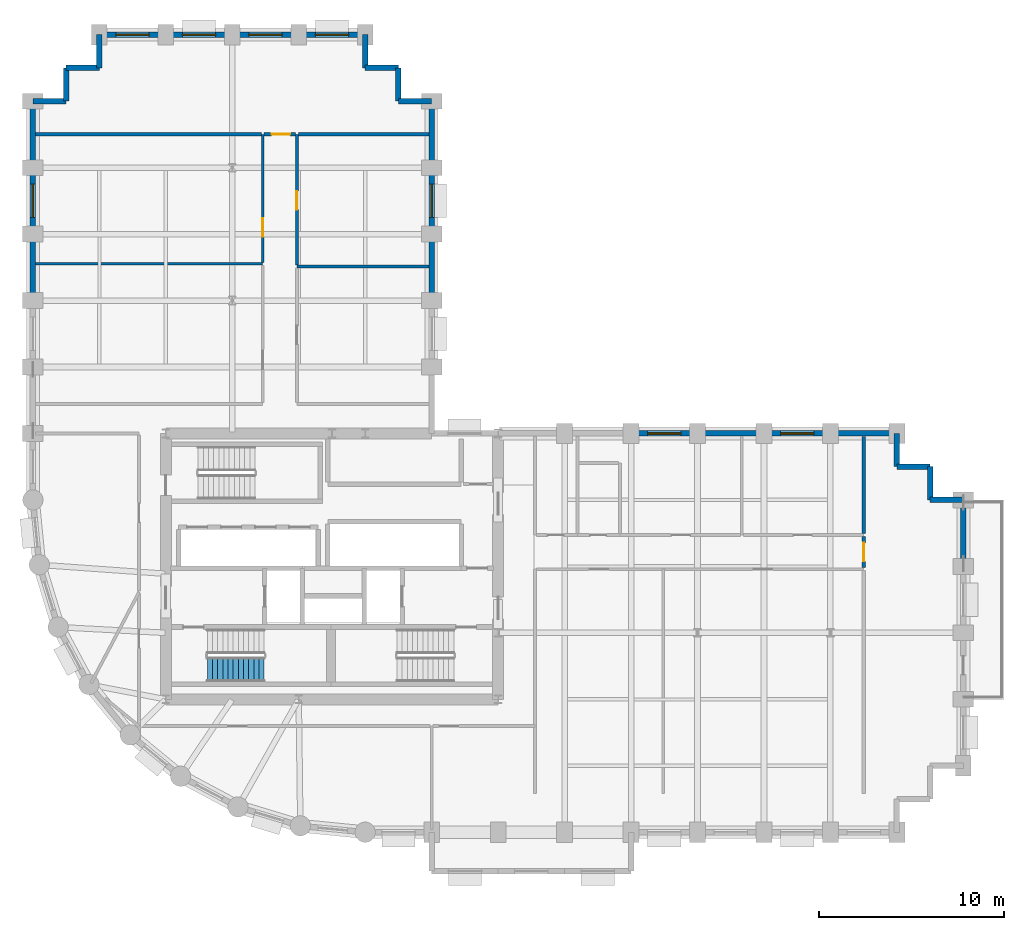
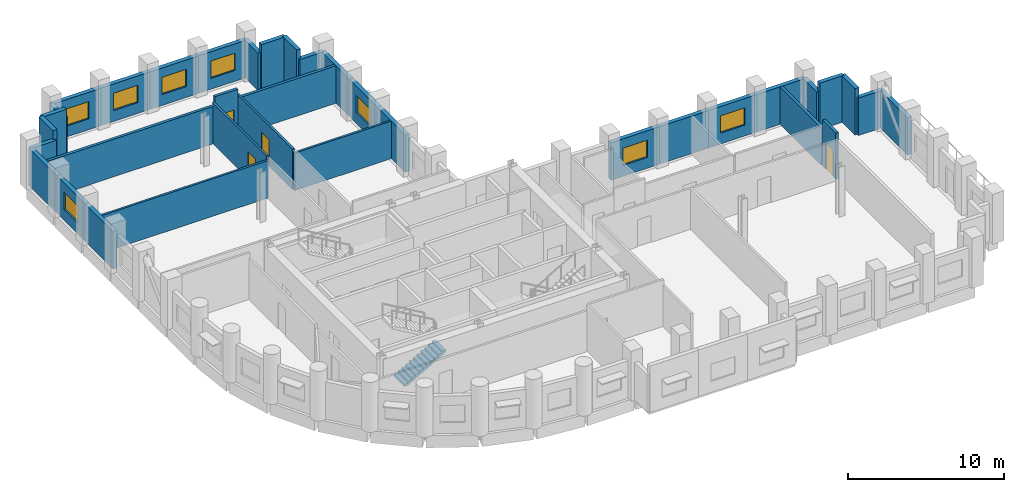
# One storey, part 6 of 10: 36 walls, 8 windows, 4 doors, 1 stair flight, 12 openings, 1 element without a shape of its own.
"""IFC4 building model written with IfcOpenShell, lengths in metres."""

from ifc_helpers import new_model, si_unit, direction, frame, frame_2d, origin, place, context, subcontext, project, spatial, polyline, rectangle, outline, extrude, material, layer, layer_set, type_object, element, fill, aggregate, save


model = new_model("IFC4")

# Units and contexts
model_context = context("Model", 3, precision=1e-05, world=origin(), true_north=direction((0.0, 1.0)))
body_context = subcontext(model_context, "Body", "Model", "MODEL_VIEW")
ifc_project = project(units=[si_unit("LENGTHUNIT", "METRE"), si_unit("AREAUNIT", "SQUARE_METRE"), si_unit("VOLUMEUNIT", "CUBIC_METRE"), si_unit("PLANEANGLEUNIT", "RADIAN"), si_unit("MASSUNIT", "GRAM", prefix="KILO")], contexts=[model_context])

# Site, building, storey
site_placement = place(None, origin())
site = spatial("IfcSite", under=ifc_project, at=site_placement, CompositionType="ELEMENT")
building_placement = place(site_placement, origin())
building = spatial("IfcBuilding", under=site, at=building_placement, Name="Solnavia Interchange Tower", CompositionType="ELEMENT")
storey_placement = place(building_placement, frame((0.0, 0.0, 103.5)))
storey = spatial("IfcBuildingStorey", under=building, at=storey_placement, Name="L25", CompositionType="ELEMENT", Elevation=103.5)

# Wall
ifc_material_1 = material(Name="Gypsum Acoustic Twin-Stud & Mineral Wool", Category="gypsum")
ifc_layer_1 = layer(ifc_material_1, 0.199951171875)
ifc_layer_set_1 = layer_set([ifc_layer_1], Name="Gypsum Acoustic Twin-Stud & Mineral Wool")
wall_type_1 = type_object("IfcWallType", Name="Wall-ApartmentParty-200", PredefinedType="PARTITIONING", material=ifc_layer_set_1)
wall_1_placement = place(storey_placement, frame((52.199951171875, 19.779052734375, 0.0), z_axis=(0.0, 0.0, 1.0), x_axis=(0.0, 1.0, 0.0)))
element("IfcWall", 1, at=wall_1_placement, inside=storey, type_object=wall_type_1, Name="PTW-L25-23 Interior partition wall", PredefinedType="PARTITIONING", context=body_context, shape_type="SweptSolid", body=[
    extrude(rectangle(XDim=5.266845703125, YDim=0.199951171875, at=frame_2d((2.63330078125, 0.0))), origin(), (0.0, 0.0, 1.0), 2.929931640625),
])

# Wall, opening, door
wall_2_placement = place(storey_placement, frame((52.199951171875, 17.928955078125, 0.0), z_axis=(0.0, 0.0, 1.0), x_axis=(0.0, 1.0, 0.0)))
wall_2 = element("IfcWall", 2, at=wall_2_placement, inside=storey, type_object=wall_type_1, Name="PTW-L25-24 Interior partition wall", PredefinedType="PARTITIONING", context=body_context, shape_type="SweptSolid", body=[
    extrude(rectangle(XDim=1.692138671875, YDim=0.199951171875, at=frame_2d((0.84619140625, 0.0))), origin(), (0.0, 0.0, 1.0), 3.635009765625),
])
opening_1_placement = place(wall_2_placement, frame((0.339111328125, 0.0, 0.0)))
opening_1 = element("IfcOpeningElement", 3, at=opening_1_placement, cuts=wall_2, Name="Opening DR-06", PredefinedType="OPENING", context=body_context, shape_type="SweptSolid", body=[
    extrude(rectangle(XDim=1.0, YDim=2.10009765625, at=frame_2d((0.5, 1.050048828125))), frame((0.0, 0.10986328125, 0.0), z_axis=(0.0, -1.0, 0.0), x_axis=(1.0, 0.0, 0.0)), (0.0, 0.0, 1.0), 0.219970703125),
])
ifc_material_2 = material(Name="Engineered Timber Acoustic Fire Door", Category="wood")
door_type_1 = type_object("IfcDoorType", Name="Door-FlatEntry-1000x2100", OperationType="SINGLE_SWING_LEFT", PredefinedType="DOOR", material=ifc_material_2)
door_1_placement = place(opening_1_placement, origin())
door_1 = element("IfcDoor", 4, at=door_1_placement, inside=storey, type_object=door_type_1, Name="DR-L25-11 Interior room door", OperationType="SINGLE_SWING_RIGHT", OverallHeight=2.10009765625, OverallWidth=1.0, PredefinedType="DOOR", context=body_context, shape_type="SweptSolid", body=[
    extrude(rectangle(XDim=1.0, YDim=2.10009765625, at=frame_2d((0.5, 1.050048828125))), frame((0.0, 0.02490234375, 0.0), z_axis=(0.0, -1.0, 0.0), x_axis=(1.0, 0.0, 0.0)), (0.0, 0.0, 1.0), 0.050048828125),
])
fill(opening_1, door_1)

# Walls
wall_3_placement = place(storey_placement, frame((7.35400390625, 41.39990234375, 0.0), z_axis=(0.0, 0.0, 1.0), x_axis=(1.0, 0.0, 0.0)))
element("IfcWall", 5, at=wall_3_placement, inside=storey, type_object=wall_type_1, Name="PTW-L25-33 Interior partition wall", PredefinedType="PARTITIONING", context=body_context, shape_type="SweptSolid", body=[
    extrude(rectangle(XDim=12.217041015625, YDim=0.199951171875, at=frame_2d((6.1083984375, 0.0))), origin(), (0.0, 0.0, 1.0), 2.929931640625),
])
wall_4_placement = place(storey_placement, frame((21.5791015625, 41.39990234375, 0.0), z_axis=(0.0, 0.0, 1.0), x_axis=(1.0, 0.0, 0.0)))
element("IfcWall", 6, at=wall_4_placement, inside=storey, type_object=wall_type_1, Name="PTW-L25-34 Interior partition wall", PredefinedType="PARTITIONING", context=body_context, shape_type="SweptSolid", body=[
    extrude(rectangle(XDim=7.06689453125, YDim=0.199951171875, at=frame_2d((3.533447265625, 0.0))), origin(), (0.0, 0.0, 1.0), 2.929931640625),
])

# Wall, opening, door
wall_5_placement = place(storey_placement, frame((19.72900390625, 41.39990234375, 0.0), z_axis=(0.0, 0.0, 1.0), x_axis=(1.0, 0.0, 0.0)))
wall_5 = element("IfcWall", 7, at=wall_5_placement, inside=storey, type_object=wall_type_1, Name="PTW-L25-35 Interior partition wall", PredefinedType="PARTITIONING", context=body_context, shape_type="SweptSolid", body=[
    extrude(rectangle(XDim=1.69189453125, YDim=0.199951171875, at=frame_2d((0.845947265625, 0.0))), origin(), (0.0, 0.0, 1.0), 3.635009765625),
])
opening_2_placement = place(wall_5_placement, frame((0.405029296875, 0.0, 0.0)))
opening_2 = element("IfcOpeningElement", 8, at=opening_2_placement, cuts=wall_5, Name="Opening DR-06", PredefinedType="OPENING", context=body_context, shape_type="SweptSolid", body=[
    extrude(rectangle(XDim=1.0, YDim=2.10009765625, at=frame_2d((0.5, 1.050048828125))), frame((0.0, 0.10986328125, 0.0), z_axis=(0.0, -1.0, 0.0), x_axis=(1.0, 0.0, 0.0)), (0.0, 0.0, 1.0), 0.219970703125),
])
door_2_placement = place(opening_2_placement, origin())
door_2 = element("IfcDoor", 9, at=door_2_placement, inside=storey, type_object=door_type_1, Name="DR-L25-16 Interior room door", OperationType="SINGLE_SWING_LEFT", OverallHeight=2.10009765625, OverallWidth=1.0, PredefinedType="DOOR", context=body_context, shape_type="SweptSolid", body=[
    extrude(rectangle(XDim=1.0, YDim=2.10009765625, at=frame_2d((0.5, 1.050048828125))), frame((0.0, 0.02490234375, 0.0), z_axis=(0.0, -1.0, 0.0), x_axis=(1.0, 0.0, 0.0)), (0.0, 0.0, 1.0), 0.050048828125),
])
fill(opening_2, door_2)

# Walls
ifc_material_3 = material(Name="Concrete C40/50", Category="concrete")
ifc_layer_2 = layer(ifc_material_3, 0.300048828125)
ifc_layer_set_2 = layer_set([ifc_layer_2], Name="Concrete C40/50")
wall_type_2 = type_object("IfcWallType", Name="Wall-ExtSpandrel-300", PredefinedType="STANDARD", material=ifc_layer_set_2)
wall_6_placement = place(storey_placement, frame((57.60009765625, 21.60009765625, 0.0), z_axis=(0.0, 0.0, 1.0), x_axis=(0.0, -1.0, 0.0)))
element("IfcWall", 10, at=wall_6_placement, inside=storey, type_object=wall_type_2, Name="EXW-L25-18 Exterior precast spandrel wall", PredefinedType="STANDARD", context=body_context, shape_type="SweptSolid", body=[
    extrude(rectangle(XDim=3.60009765625, YDim=0.300048828125, at=frame_2d((1.800048828125, 0.0))), origin(), (0.0, 0.0, 1.0), 2.929931640625),
])
wall_7_placement = place(storey_placement, frame((55.800048828125, 21.60009765625, 0.0), z_axis=(0.0, 0.0, 1.0), x_axis=(1.0, 0.0, 0.0)))
element("IfcWall", 11, at=wall_7_placement, inside=storey, type_object=wall_type_2, Name="EXW-L25-19 Exterior precast spandrel wall", PredefinedType="STANDARD", context=body_context, shape_type="SweptSolid", body=[
    extrude(rectangle(XDim=1.800048828125, YDim=0.300048828125, at=frame_2d((0.89990234375, 0.0))), origin(), (0.0, 0.0, 1.0), 2.929931640625),
])
wall_8_placement = place(storey_placement, frame((55.800048828125, 23.39990234375, 0.0), z_axis=(0.0, 0.0, 1.0), x_axis=(0.0, -1.0, 0.0)))
element("IfcWall", 12, at=wall_8_placement, inside=storey, type_object=wall_type_2, Name="EXW-L25-20 Exterior precast spandrel wall", PredefinedType="STANDARD", context=body_context, shape_type="SweptSolid", body=[
    extrude(rectangle(XDim=1.7998046875, YDim=0.300048828125, at=frame_2d((0.89990234375, 0.0))), origin(), (0.0, 0.0, 1.0), 3.635009765625),
])
wall_9_placement = place(storey_placement, frame((54.0, 23.39990234375, 0.0), z_axis=(0.0, 0.0, 1.0), x_axis=(1.0, 0.0, 0.0)))
element("IfcWall", 13, at=wall_9_placement, inside=storey, type_object=wall_type_2, Name="EXW-L25-21 Exterior precast spandrel wall", PredefinedType="STANDARD", context=body_context, shape_type="SweptSolid", body=[
    extrude(rectangle(XDim=1.800048828125, YDim=0.300048828125, at=frame_2d((0.89990234375, 0.0))), origin(), (0.0, 0.0, 1.0), 3.635009765625),
])
wall_10_placement = place(storey_placement, frame((54.0, 25.199951171875, 0.0), z_axis=(0.0, 0.0, 1.0), x_axis=(0.0, -1.0, 0.0)))
element("IfcWall", 14, at=wall_10_placement, inside=storey, type_object=wall_type_2, Name="EXW-L25-22 Exterior precast spandrel wall", PredefinedType="STANDARD", context=body_context, shape_type="SweptSolid", body=[
    extrude(rectangle(XDim=1.800048828125, YDim=0.300048828125, at=frame_2d((0.89990234375, 0.0))), origin(), (0.0, 0.0, 1.0), 2.929931640625),
])
wall_11_placement = place(storey_placement, frame((50.39990234375, 25.199951171875, 0.0), z_axis=(0.0, 0.0, 1.0), x_axis=(1.0, 0.0, 0.0)))
element("IfcWall", 15, at=wall_11_placement, inside=storey, type_object=wall_type_2, Name="EXW-L25-23 Exterior precast spandrel wall", PredefinedType="STANDARD", context=body_context, shape_type="SweptSolid", body=[
    extrude(rectangle(XDim=3.60009765625, YDim=0.300048828125, at=frame_2d((1.800048828125, 0.0))), origin(), (0.0, 0.0, 1.0), 2.929931640625),
])

# Wall, opening, window
wall_12_placement = place(storey_placement, frame((46.800048828125, 25.199951171875, 0.0), z_axis=(0.0, 0.0, 1.0), x_axis=(1.0, 0.0, 0.0)))
wall_12 = element("IfcWall", 16, at=wall_12_placement, inside=storey, type_object=wall_type_2, Name="EXW-L25-24 Exterior precast spandrel wall", PredefinedType="STANDARD", context=body_context, shape_type="SweptSolid", body=[
    extrude(rectangle(XDim=3.599853515625, YDim=0.300048828125, at=frame_2d((1.7998046875, 0.0))), origin(), (0.0, 0.0, 1.0), 2.929931640625),
])
opening_3_placement = place(wall_12_placement, frame((0.89990234375, 0.0, 0.85009765625)))
opening_3 = element("IfcOpeningElement", 17, at=opening_3_placement, cuts=wall_12, Name="Opening WIN-02", PredefinedType="OPENING", context=body_context, shape_type="SweptSolid", body=[
    extrude(rectangle(XDim=1.800048828125, YDim=1.35009765625, at=frame_2d((0.89990234375, 0.675048828125))), frame((0.0, 0.16015625, 0.0), z_axis=(0.0, -1.0, 0.0), x_axis=(1.0, 0.0, 0.0)), (0.0, 0.0, 1.0), 0.320068359375),
])
ifc_material_4 = material(Name="Thermal-Break Aluminium & Low-E Glass", Category="aluminium")
window_type = type_object("IfcWindowType", Name="Window-Ribbon-1800x1350", PartitioningType="SINGLE_PANEL", PredefinedType="WINDOW", material=ifc_material_4)
window_1_placement = place(opening_3_placement, origin())
window_1 = element("IfcWindow", 18, at=window_1_placement, inside=storey, type_object=window_type, Name="WIN-L25-24 Facade ribbon window", OverallHeight=1.35009765625, OverallWidth=1.800048828125, PartitioningType="SINGLE_PANEL", PredefinedType="WINDOW", context=body_context, shape_type="SweptSolid", body=[
    extrude(rectangle(XDim=1.800048828125, YDim=1.35009765625, at=frame_2d((0.89990234375, 0.675048828125))), frame((0.0, 0.030029296875, 0.0), z_axis=(0.0, -1.0, 0.0), x_axis=(1.0, 0.0, 0.0)), (0.0, 0.0, 1.0), 0.06005859375),
])
fill(opening_3, window_1)

# Wall
wall_13_placement = place(storey_placement, frame((43.199951171875, 25.199951171875, 0.0), z_axis=(0.0, 0.0, 1.0), x_axis=(1.0, 0.0, 0.0)))
element("IfcWall", 19, at=wall_13_placement, inside=storey, type_object=wall_type_2, Name="EXW-L25-25 Exterior precast spandrel wall", PredefinedType="STANDARD", context=body_context, shape_type="SweptSolid", body=[
    extrude(rectangle(XDim=3.60009765625, YDim=0.300048828125, at=frame_2d((1.800048828125, 0.0))), origin(), (0.0, 0.0, 1.0), 2.929931640625),
])

# Wall, opening, window
wall_14_placement = place(storey_placement, frame((39.60009765625, 25.199951171875, 0.0), z_axis=(0.0, 0.0, 1.0), x_axis=(1.0, 0.0, 0.0)))
wall_14 = element("IfcWall", 20, at=wall_14_placement, inside=storey, type_object=wall_type_2, Name="EXW-L25-26 Exterior precast spandrel wall", PredefinedType="STANDARD", context=body_context, shape_type="SweptSolid", body=[
    extrude(rectangle(XDim=3.599853515625, YDim=0.300048828125, at=frame_2d((1.7998046875, 0.0))), origin(), (0.0, 0.0, 1.0), 2.929931640625),
])
opening_4_placement = place(wall_14_placement, frame((0.89990234375, 0.0, 0.85009765625)))
opening_4 = element("IfcOpeningElement", 21, at=opening_4_placement, cuts=wall_14, Name="Opening WIN-02", PredefinedType="OPENING", context=body_context, shape_type="SweptSolid", body=[
    extrude(rectangle(XDim=1.800048828125, YDim=1.35009765625, at=frame_2d((0.89990234375, 0.675048828125))), frame((0.0, 0.16015625, 0.0), z_axis=(0.0, -1.0, 0.0), x_axis=(1.0, 0.0, 0.0)), (0.0, 0.0, 1.0), 0.320068359375),
])
window_2_placement = place(opening_4_placement, origin())
window_2 = element("IfcWindow", 22, at=window_2_placement, inside=storey, type_object=window_type, Name="WIN-L25-26 Facade ribbon window", OverallHeight=1.35009765625, OverallWidth=1.800048828125, PartitioningType="SINGLE_PANEL", PredefinedType="WINDOW", context=body_context, shape_type="SweptSolid", body=[
    extrude(rectangle(XDim=1.800048828125, YDim=1.35009765625, at=frame_2d((0.89990234375, 0.675048828125))), frame((0.0, 0.030029296875, 0.0), z_axis=(0.0, -1.0, 0.0), x_axis=(1.0, 0.0, 0.0)), (0.0, 0.0, 1.0), 0.06005859375),
])
fill(opening_4, window_2)

# Wall
wall_15_placement = place(storey_placement, frame((28.800048828125, 36.0, 0.0), z_axis=(0.0, 0.0, 1.0), x_axis=(0.0, -1.0, 0.0)))
element("IfcWall", 23, at=wall_15_placement, inside=storey, type_object=wall_type_2, Name="EXW-L25-32 Exterior precast spandrel wall", PredefinedType="STANDARD", context=body_context, shape_type="SweptSolid", body=[
    extrude(rectangle(XDim=3.60009765625, YDim=0.300048828125, at=frame_2d((1.800048828125, 0.0))), origin(), (0.0, 0.0, 1.0), 2.929931640625),
])

# Wall, opening, window
wall_16_placement = place(storey_placement, frame((28.800048828125, 39.60009765625, 0.0), z_axis=(0.0, 0.0, 1.0), x_axis=(0.0, -1.0, 0.0)))
wall_16 = element("IfcWall", 24, at=wall_16_placement, inside=storey, type_object=wall_type_2, Name="EXW-L25-33 Exterior precast spandrel wall", PredefinedType="STANDARD", context=body_context, shape_type="SweptSolid", body=[
    extrude(rectangle(XDim=3.60009765625, YDim=0.300048828125, at=frame_2d((1.800048828125, 0.0))), origin(), (0.0, 0.0, 1.0), 2.929931640625),
])
opening_5_placement = place(wall_16_placement, frame((0.89990234375, 0.0, 0.85009765625)))
opening_5 = element("IfcOpeningElement", 25, at=opening_5_placement, cuts=wall_16, Name="Opening WIN-02", PredefinedType="OPENING", context=body_context, shape_type="SweptSolid", body=[
    extrude(rectangle(XDim=1.800048828125, YDim=1.35009765625, at=frame_2d((0.89990234375, 0.675048828125))), frame((0.0, 0.16015625, 0.0), z_axis=(0.0, -1.0, 0.0), x_axis=(1.0, 0.0, 0.0)), (0.0, 0.0, 1.0), 0.320068359375),
])
window_3_placement = place(opening_5_placement, origin())
window_3 = element("IfcWindow", 26, at=window_3_placement, inside=storey, type_object=window_type, Name="WIN-L25-33 Facade ribbon window", OverallHeight=1.35009765625, OverallWidth=1.800048828125, PartitioningType="SINGLE_PANEL", PredefinedType="WINDOW", context=body_context, shape_type="SweptSolid", body=[
    extrude(rectangle(XDim=1.800048828125, YDim=1.35009765625, at=frame_2d((0.89990234375, 0.675048828125))), frame((0.0, 0.030029296875, 0.0), z_axis=(0.0, -1.0, 0.0), x_axis=(1.0, 0.0, 0.0)), (0.0, 0.0, 1.0), 0.06005859375),
])
fill(opening_5, window_3)

# Walls
wall_17_placement = place(storey_placement, frame((28.800048828125, 43.199951171875, 0.0), z_axis=(0.0, 0.0, 1.0), x_axis=(0.0, -1.0, 0.0)))
element("IfcWall", 27, at=wall_17_placement, inside=storey, type_object=wall_type_2, Name="EXW-L25-34 Exterior precast spandrel wall", PredefinedType="STANDARD", context=body_context, shape_type="SweptSolid", body=[
    extrude(rectangle(XDim=3.599853515625, YDim=0.300048828125, at=frame_2d((1.7998046875, 0.0))), origin(), (0.0, 0.0, 1.0), 2.929931640625),
])
wall_18_placement = place(storey_placement, frame((27.0, 43.199951171875, 0.0), z_axis=(0.0, 0.0, 1.0), x_axis=(1.0, 0.0, 0.0)))
element("IfcWall", 28, at=wall_18_placement, inside=storey, type_object=wall_type_2, Name="EXW-L25-35 Exterior precast spandrel wall", PredefinedType="STANDARD", context=body_context, shape_type="SweptSolid", body=[
    extrude(rectangle(XDim=1.800048828125, YDim=0.300048828125, at=frame_2d((0.89990234375, 0.0))), origin(), (0.0, 0.0, 1.0), 2.929931640625),
])
for number, where, z_axis, x_axis, name in (
    (29, (27.0, 43.199951171875, 0.0), (0.0, 0.0, 1.0), (0.0, 1.0, 0.0), "EXW-L25-36 Exterior precast spandrel wall"),
    (30, (25.199951171875, 45.0, 0.0), (0.0, 0.0, 1.0), (1.0, 0.0, 0.0), "EXW-L25-37 Exterior precast spandrel wall"),
):
    element("IfcWall", number, at=place(storey_placement, frame(where, z_axis=z_axis, x_axis=x_axis)), inside=storey, type_object=wall_type_2, Name=name, PredefinedType="STANDARD", context=body_context, shape_type="SweptSolid", body=[
        extrude(rectangle(XDim=1.800048828125, YDim=0.300048828125, at=frame_2d((0.89990234375, 0.0))), origin(), (0.0, 0.0, 1.0), 3.635009765625),
    ])
wall_19_placement = place(storey_placement, frame((25.199951171875, 45.0, 0.0), z_axis=(0.0, 0.0, 1.0), x_axis=(0.0, 1.0, 0.0)))
element("IfcWall", 31, at=wall_19_placement, inside=storey, type_object=wall_type_2, Name="EXW-L25-38 Exterior precast spandrel wall", PredefinedType="STANDARD", context=body_context, shape_type="SweptSolid", body=[
    extrude(rectangle(XDim=1.800048828125, YDim=0.300048828125, at=frame_2d((0.89990234375, 0.0))), origin(), (0.0, 0.0, 1.0), 2.929931640625),
])

# Wall, opening, window
wall_20_placement = place(storey_placement, frame((21.60009765625, 46.800048828125, 0.0), z_axis=(0.0, 0.0, 1.0), x_axis=(1.0, 0.0, 0.0)))
wall_20 = element("IfcWall", 32, at=wall_20_placement, inside=storey, type_object=wall_type_2, Name="EXW-L25-39 Exterior precast spandrel wall", PredefinedType="STANDARD", context=body_context, shape_type="SweptSolid", body=[
    extrude(rectangle(XDim=3.599853515625, YDim=0.300048828125, at=frame_2d((1.7998046875, 0.0))), origin(), (0.0, 0.0, 1.0), 2.929931640625),
])
opening_6_placement = place(wall_20_placement, frame((0.89990234375, 0.0, 0.85009765625)))
opening_6 = element("IfcOpeningElement", 33, at=opening_6_placement, cuts=wall_20, Name="Opening WIN-02", PredefinedType="OPENING", context=body_context, shape_type="SweptSolid", body=[
    extrude(rectangle(XDim=1.800048828125, YDim=1.35009765625, at=frame_2d((0.89990234375, 0.675048828125))), frame((0.0, 0.16015625, 0.0), z_axis=(0.0, -1.0, 0.0), x_axis=(1.0, 0.0, 0.0)), (0.0, 0.0, 1.0), 0.320068359375),
])
window_4_placement = place(opening_6_placement, origin())
window_4 = element("IfcWindow", 34, at=window_4_placement, inside=storey, type_object=window_type, Name="WIN-L25-39 Facade ribbon window", OverallHeight=1.35009765625, OverallWidth=1.800048828125, PartitioningType="SINGLE_PANEL", PredefinedType="WINDOW", context=body_context, shape_type="SweptSolid", body=[
    extrude(rectangle(XDim=1.800048828125, YDim=1.35009765625, at=frame_2d((0.89990234375, 0.675048828125))), frame((0.0, 0.030029296875, 0.0), z_axis=(0.0, -1.0, 0.0), x_axis=(1.0, 0.0, 0.0)), (0.0, 0.0, 1.0), 0.06005859375),
])
fill(opening_6, window_4)

wall_21_placement = place(storey_placement, frame((18.0, 46.800048828125, 0.0), z_axis=(0.0, 0.0, 1.0), x_axis=(1.0, 0.0, 0.0)))
wall_21 = element("IfcWall", 35, at=wall_21_placement, inside=storey, type_object=wall_type_2, Name="EXW-L25-40 Exterior precast spandrel wall", PredefinedType="STANDARD", context=body_context, shape_type="SweptSolid", body=[
    extrude(rectangle(XDim=3.60009765625, YDim=0.300048828125, at=frame_2d((1.800048828125, 0.0))), origin(), (0.0, 0.0, 1.0), 2.929931640625),
])
opening_7_placement = place(wall_21_placement, frame((0.89990234375, 0.0, 0.85009765625)))
opening_7 = element("IfcOpeningElement", 36, at=opening_7_placement, cuts=wall_21, Name="Opening WIN-02", PredefinedType="OPENING", context=body_context, shape_type="SweptSolid", body=[
    extrude(rectangle(XDim=1.800048828125, YDim=1.35009765625, at=frame_2d((0.89990234375, 0.675048828125))), frame((0.0, 0.16015625, 0.0), z_axis=(0.0, -1.0, 0.0), x_axis=(1.0, 0.0, 0.0)), (0.0, 0.0, 1.0), 0.320068359375),
])
window_5_placement = place(opening_7_placement, origin())
window_5 = element("IfcWindow", 37, at=window_5_placement, inside=storey, type_object=window_type, Name="WIN-L25-40 Facade ribbon window", OverallHeight=1.35009765625, OverallWidth=1.800048828125, PartitioningType="SINGLE_PANEL", PredefinedType="WINDOW", context=body_context, shape_type="SweptSolid", body=[
    extrude(rectangle(XDim=1.800048828125, YDim=1.35009765625, at=frame_2d((0.89990234375, 0.675048828125))), frame((0.0, 0.030029296875, 0.0), z_axis=(0.0, -1.0, 0.0), x_axis=(1.0, 0.0, 0.0)), (0.0, 0.0, 1.0), 0.06005859375),
])
fill(opening_7, window_5)

wall_22_placement = place(storey_placement, frame((14.39990234375, 46.800048828125, 0.0), z_axis=(0.0, 0.0, 1.0), x_axis=(1.0, 0.0, 0.0)))
wall_22 = element("IfcWall", 38, at=wall_22_placement, inside=storey, type_object=wall_type_2, Name="EXW-L25-41 Exterior precast spandrel wall", PredefinedType="STANDARD", context=body_context, shape_type="SweptSolid", body=[
    extrude(rectangle(XDim=3.60009765625, YDim=0.300048828125, at=frame_2d((1.800048828125, 0.0))), origin(), (0.0, 0.0, 1.0), 2.929931640625),
])
opening_8_placement = place(wall_22_placement, frame((0.89990234375, 0.0, 0.85009765625)))
opening_8 = element("IfcOpeningElement", 39, at=opening_8_placement, cuts=wall_22, Name="Opening WIN-02", PredefinedType="OPENING", context=body_context, shape_type="SweptSolid", body=[
    extrude(rectangle(XDim=1.800048828125, YDim=1.35009765625, at=frame_2d((0.89990234375, 0.675048828125))), frame((0.0, 0.16015625, 0.0), z_axis=(0.0, -1.0, 0.0), x_axis=(1.0, 0.0, 0.0)), (0.0, 0.0, 1.0), 0.320068359375),
])
window_6_placement = place(opening_8_placement, origin())
window_6 = element("IfcWindow", 40, at=window_6_placement, inside=storey, type_object=window_type, Name="WIN-L25-41 Facade ribbon window", OverallHeight=1.35009765625, OverallWidth=1.800048828125, PartitioningType="SINGLE_PANEL", PredefinedType="WINDOW", context=body_context, shape_type="SweptSolid", body=[
    extrude(rectangle(XDim=1.800048828125, YDim=1.35009765625, at=frame_2d((0.89990234375, 0.675048828125))), frame((0.0, 0.030029296875, 0.0), z_axis=(0.0, -1.0, 0.0), x_axis=(1.0, 0.0, 0.0)), (0.0, 0.0, 1.0), 0.06005859375),
])
fill(opening_8, window_6)

wall_23_placement = place(storey_placement, frame((10.800048828125, 46.800048828125, 0.0), z_axis=(0.0, 0.0, 1.0), x_axis=(1.0, 0.0, 0.0)))
wall_23 = element("IfcWall", 41, at=wall_23_placement, inside=storey, type_object=wall_type_2, Name="EXW-L25-42 Exterior precast spandrel wall", PredefinedType="STANDARD", context=body_context, shape_type="SweptSolid", body=[
    extrude(rectangle(XDim=3.599853515625, YDim=0.300048828125, at=frame_2d((1.7998046875, 0.0))), origin(), (0.0, 0.0, 1.0), 2.929931640625),
])
opening_9_placement = place(wall_23_placement, frame((0.89990234375, 0.0, 0.85009765625)))
opening_9 = element("IfcOpeningElement", 42, at=opening_9_placement, cuts=wall_23, Name="Opening WIN-02", PredefinedType="OPENING", context=body_context, shape_type="SweptSolid", body=[
    extrude(rectangle(XDim=1.800048828125, YDim=1.35009765625, at=frame_2d((0.89990234375, 0.675048828125))), frame((0.0, 0.16015625, 0.0), z_axis=(0.0, -1.0, 0.0), x_axis=(1.0, 0.0, 0.0)), (0.0, 0.0, 1.0), 0.320068359375),
])
window_7_placement = place(opening_9_placement, origin())
window_7 = element("IfcWindow", 43, at=window_7_placement, inside=storey, type_object=window_type, Name="WIN-L25-42 Facade ribbon window", OverallHeight=1.35009765625, OverallWidth=1.800048828125, PartitioningType="SINGLE_PANEL", PredefinedType="WINDOW", context=body_context, shape_type="SweptSolid", body=[
    extrude(rectangle(XDim=1.800048828125, YDim=1.35009765625, at=frame_2d((0.89990234375, 0.675048828125))), frame((0.0, 0.030029296875, 0.0), z_axis=(0.0, -1.0, 0.0), x_axis=(1.0, 0.0, 0.0)), (0.0, 0.0, 1.0), 0.06005859375),
])
fill(opening_9, window_7)

# Walls
wall_24_placement = place(storey_placement, frame((10.800048828125, 45.0, 0.0), z_axis=(0.0, 0.0, 1.0), x_axis=(0.0, 1.0, 0.0)))
element("IfcWall", 44, at=wall_24_placement, inside=storey, type_object=wall_type_2, Name="EXW-L25-43 Exterior precast spandrel wall", PredefinedType="STANDARD", context=body_context, shape_type="SweptSolid", body=[
    extrude(rectangle(XDim=1.800048828125, YDim=0.300048828125, at=frame_2d((0.89990234375, 0.0))), origin(), (0.0, 0.0, 1.0), 2.929931640625),
])
for number, where, z_axis, x_axis, name in (
    (45, (9.0, 45.0, 0.0), (0.0, 0.0, 1.0), (1.0, 0.0, 0.0), "EXW-L25-44 Exterior precast spandrel wall"),
    (46, (9.0, 43.199951171875, 0.0), (0.0, 0.0, 1.0), (0.0, 1.0, 0.0), "EXW-L25-45 Exterior precast spandrel wall"),
):
    element("IfcWall", number, at=place(storey_placement, frame(where, z_axis=z_axis, x_axis=x_axis)), inside=storey, type_object=wall_type_2, Name=name, PredefinedType="STANDARD", context=body_context, shape_type="SweptSolid", body=[
        extrude(rectangle(XDim=1.800048828125, YDim=0.300048828125, at=frame_2d((0.89990234375, 0.0))), origin(), (0.0, 0.0, 1.0), 3.635009765625),
    ])
wall_25_placement = place(storey_placement, frame((7.199951171875, 43.199951171875, 0.0), z_axis=(0.0, 0.0, 1.0), x_axis=(1.0, 0.0, 0.0)))
element("IfcWall", 47, at=wall_25_placement, inside=storey, type_object=wall_type_2, Name="EXW-L25-46 Exterior precast spandrel wall", PredefinedType="STANDARD", context=body_context, shape_type="SweptSolid", body=[
    extrude(rectangle(XDim=1.800048828125, YDim=0.300048828125, at=frame_2d((0.89990234375, 0.0))), origin(), (0.0, 0.0, 1.0), 2.929931640625),
])
wall_26_placement = place(storey_placement, frame((7.199951171875, 39.60009765625, 0.0), z_axis=(0.0, 0.0, 1.0), x_axis=(0.0, 1.0, 0.0)))
element("IfcWall", 48, at=wall_26_placement, inside=storey, type_object=wall_type_2, Name="EXW-L25-47 Exterior precast spandrel wall", PredefinedType="STANDARD", context=body_context, shape_type="SweptSolid", body=[
    extrude(rectangle(XDim=3.599853515625, YDim=0.300048828125, at=frame_2d((1.7998046875, 0.0))), origin(), (0.0, 0.0, 1.0), 2.929931640625),
])

# Wall, opening, window
wall_27_placement = place(storey_placement, frame((7.199951171875, 36.0, 0.0), z_axis=(0.0, 0.0, 1.0), x_axis=(0.0, 1.0, 0.0)))
wall_27 = element("IfcWall", 49, at=wall_27_placement, inside=storey, type_object=wall_type_2, Name="EXW-L25-48 Exterior precast spandrel wall", PredefinedType="STANDARD", context=body_context, shape_type="SweptSolid", body=[
    extrude(rectangle(XDim=3.60009765625, YDim=0.300048828125, at=frame_2d((1.800048828125, 0.0))), origin(), (0.0, 0.0, 1.0), 2.929931640625),
])
opening_10_placement = place(wall_27_placement, frame((0.89990234375, 0.0, 0.85009765625)))
opening_10 = element("IfcOpeningElement", 50, at=opening_10_placement, cuts=wall_27, Name="Opening WIN-02", PredefinedType="OPENING", context=body_context, shape_type="SweptSolid", body=[
    extrude(rectangle(XDim=1.800048828125, YDim=1.35009765625, at=frame_2d((0.89990234375, 0.675048828125))), frame((0.0, 0.16015625, 0.0), z_axis=(0.0, -1.0, 0.0), x_axis=(1.0, 0.0, 0.0)), (0.0, 0.0, 1.0), 0.320068359375),
])
window_8_placement = place(opening_10_placement, origin())
window_8 = element("IfcWindow", 51, at=window_8_placement, inside=storey, type_object=window_type, Name="WIN-L25-48 Facade ribbon window", OverallHeight=1.35009765625, OverallWidth=1.800048828125, PartitioningType="SINGLE_PANEL", PredefinedType="WINDOW", context=body_context, shape_type="SweptSolid", body=[
    extrude(rectangle(XDim=1.800048828125, YDim=1.35009765625, at=frame_2d((0.89990234375, 0.675048828125))), frame((0.0, 0.030029296875, 0.0), z_axis=(0.0, -1.0, 0.0), x_axis=(1.0, 0.0, 0.0)), (0.0, 0.0, 1.0), 0.06005859375),
])
fill(opening_10, window_8)

# Walls
wall_28_placement = place(storey_placement, frame((7.199951171875, 32.39990234375, 0.0), z_axis=(0.0, 0.0, 1.0), x_axis=(0.0, 1.0, 0.0)))
element("IfcWall", 52, at=wall_28_placement, inside=storey, type_object=wall_type_2, Name="EXW-L25-49 Exterior precast spandrel wall", PredefinedType="STANDARD", context=body_context, shape_type="SweptSolid", body=[
    extrude(rectangle(XDim=3.60009765625, YDim=0.300048828125, at=frame_2d((1.800048828125, 0.0))), origin(), (0.0, 0.0, 1.0), 2.929931640625),
])
ifc_material_5 = material(Name="Gypsum Plasterboard & Steel Stud", Category="steel")
ifc_layer_3 = layer(ifc_material_5, 0.14990234375)
ifc_layer_set_3 = layer_set([ifc_layer_3], Name="Gypsum Plasterboard & Steel Stud")
wall_type_3 = type_object("IfcWallType", Name="Wall-Partition-150", PredefinedType="PARTITIONING", material=ifc_layer_set_3)
wall_29_placement = place(storey_placement, frame((7.35400390625, 34.389892578125, 0.0), z_axis=(0.0, 0.0, 1.0), x_axis=(1.0, 0.0, 0.0)))
element("IfcWall", 53, at=wall_29_placement, inside=storey, type_object=wall_type_3, Name="PTW-L25-26 Interior partition wall", PredefinedType="PARTITIONING", context=body_context, shape_type="SweptSolid", body=[
    extrude(rectangle(XDim=12.2958984375, YDim=0.14990234375, at=frame_2d((6.14794921875, 0.0))), origin(), (0.0, 0.0, 1.0), 2.929931640625),
])

# Wall, opening, door
wall_30_placement = place(storey_placement, frame((19.64990234375, 34.468994140625, 0.0), z_axis=(0.0, 0.0, 1.0), x_axis=(0.0, 1.0, 0.0)))
wall_30 = element("IfcWall", 54, at=wall_30_placement, inside=storey, type_object=wall_type_3, Name="PTW-L25-28 Interior partition wall", PredefinedType="PARTITIONING", context=body_context, shape_type="SweptSolid", body=[
    extrude(rectangle(XDim=6.930908203125, YDim=0.14990234375, at=frame_2d((3.46533203125, 0.0))), origin(), (0.0, 0.0, 1.0), 3.18994140625),
])
opening_11_placement = place(wall_30_placement, frame((1.385986328125, 0.0, 0.0)))
opening_11 = element("IfcOpeningElement", 55, at=opening_11_placement, cuts=wall_30, Name="Opening DR-07", PredefinedType="OPENING", context=body_context, shape_type="SweptSolid", body=[
    extrude(rectangle(XDim=1.0, YDim=2.10009765625, at=frame_2d((0.5, 1.050048828125))), frame((0.0, 0.0849609375, 0.0), z_axis=(0.0, -1.0, 0.0), x_axis=(1.0, 0.0, 0.0)), (0.0, 0.0, 1.0), 0.169921875),
])
ifc_material_6 = material(Name="Timber & Acoustic Glazed Office Door", Category="wood")
door_type_2 = type_object("IfcDoorType", Name="Door-Office-1000x2100", OperationType="SINGLE_SWING_RIGHT", PredefinedType="DOOR", material=ifc_material_6)
door_3_placement = place(opening_11_placement, origin())
door_3 = element("IfcDoor", 56, at=door_3_placement, inside=storey, type_object=door_type_2, Name="DR-L25-13 Interior room door", OperationType="SINGLE_SWING_RIGHT", OverallHeight=2.10009765625, OverallWidth=1.0, PredefinedType="DOOR", context=body_context, shape_type="SweptSolid", body=[
    extrude(rectangle(XDim=1.0, YDim=2.10009765625, at=frame_2d((0.5, 1.050048828125))), frame((0.0, 0.02490234375, 0.0), z_axis=(0.0, -1.0, 0.0), x_axis=(1.0, 0.0, 0.0)), (0.0, 0.0, 1.0), 0.050048828125),
])
fill(opening_11, door_3)

# Wall
wall_31_placement = place(storey_placement, frame((21.5, 34.25, 0.0), z_axis=(0.0, 0.0, 1.0), x_axis=(1.0, 0.0, 0.0)))
element("IfcWall", 57, at=wall_31_placement, inside=storey, type_object=wall_type_3, Name="PTW-L25-30 Interior partition wall", PredefinedType="PARTITIONING", context=body_context, shape_type="SweptSolid", body=[
    extrude(rectangle(XDim=7.14599609375, YDim=0.14990234375, at=frame_2d((3.572998046875, 0.0))), origin(), (0.0, 0.0, 1.0), 2.929931640625),
])

# Wall, opening, door
wall_32_placement = place(storey_placement, frame((21.5, 34.3291015625, 0.0), z_axis=(0.0, 0.0, 1.0), x_axis=(0.0, 1.0, 0.0)))
wall_32 = element("IfcWall", 58, at=wall_32_placement, inside=storey, type_object=wall_type_3, Name="PTW-L25-32 Interior partition wall", PredefinedType="PARTITIONING", context=body_context, shape_type="SweptSolid", body=[
    extrude(rectangle(XDim=7.07080078125, YDim=0.14990234375, at=frame_2d((3.535400390625, 0.0))), origin(), (0.0, 0.0, 1.0), 3.179931640625),
])
opening_12_placement = place(wall_32_placement, frame((2.99609375, 0.0, 0.0)))
opening_12 = element("IfcOpeningElement", 59, at=opening_12_placement, cuts=wall_32, Name="Opening DR-07", PredefinedType="OPENING", context=body_context, shape_type="SweptSolid", body=[
    extrude(rectangle(XDim=1.0, YDim=2.10009765625, at=frame_2d((0.5, 1.050048828125))), frame((0.0, 0.0849609375, 0.0), z_axis=(0.0, -1.0, 0.0), x_axis=(1.0, 0.0, 0.0)), (0.0, 0.0, 1.0), 0.169921875),
])
door_4_placement = place(opening_12_placement, origin())
door_4 = element("IfcDoor", 60, at=door_4_placement, inside=storey, type_object=door_type_2, Name="DR-L25-15 Interior room door", OperationType="SINGLE_SWING_LEFT", OverallHeight=2.10009765625, OverallWidth=1.0, PredefinedType="DOOR", context=body_context, shape_type="SweptSolid", body=[
    extrude(rectangle(XDim=1.0, YDim=2.10009765625, at=frame_2d((0.5, 1.050048828125))), frame((0.0, 0.02490234375, 0.0), z_axis=(0.0, -1.0, 0.0), x_axis=(1.0, 0.0, 0.0)), (0.0, 0.0, 1.0), 0.050048828125),
])
fill(opening_12, door_4)

# Stair, stair flight
stair_type = type_object("IfcStairType", Name="Stair-Dogleg-RC", PredefinedType="HALF_TURN_STAIR", material=ifc_material_3)
stair_placement = place(storey_placement, origin())
stair = element("IfcStair", 61, at=stair_placement, inside=storey, type_object=stair_type, Name="L25 Core exit stair 1", PredefinedType="HALF_TURN_STAIR")
stair_flight_type = type_object("IfcStairFlightType", Name="StairFlight-RC-150", PredefinedType="STRAIGHT", material=ifc_material_3)
stair_flight_placement = place(storey_placement, frame((16.64990234375, 12.409912109375, 0.0), z_axis=(0.0, 0.0, 1.0), x_axis=(1.0, 0.0, 0.0)))
stair_flight = element("IfcStairFlight", 62, at=stair_flight_placement, type_object=stair_flight_type, Name="ST-1 flight 1", NumberOfRisers=12, NumberOfTreads=11, PredefinedType="STRAIGHT", RiserHeight=0.1625, TreadLength=0.28, context=body_context, shape_type="SweptSolid", body=[
    extrude(outline(polyline([(0.0, 0.0), (0.0, 0.16259765625), (0.280029296875, 0.16259765625), (0.280029296875, 0.324951171875), (0.56005859375, 0.324951171875), (0.56005859375, 0.487548828125), (0.840087890625, 0.487548828125), (0.840087890625, 0.64990234375), (1.1201171875, 0.64990234375), (1.1201171875, 0.8125), (1.39990234375, 0.8125), (1.39990234375, 0.97509765625), (1.679931640625, 0.97509765625), (1.679931640625, 1.137451171875), (1.9599609375, 1.137451171875), (1.9599609375, 1.300048828125), (2.239990234375, 1.300048828125), (2.239990234375, 1.46240234375), (2.52001953125, 1.46240234375), (2.52001953125, 1.625), (2.800048828125, 1.625), (2.800048828125, 1.78759765625), (3.080078125, 1.78759765625), (3.080078125, 1.949951171875), (3.080078125, 1.6142578125), (0.298583984375, 0.0), (0.0, 0.0)])), frame((0.0, 0.66015625, 0.0), z_axis=(0.0, -1.0, 0.0), x_axis=(1.0, 0.0, 0.0)), (0.0, 0.0, 1.0), 1.320068359375),
])
aggregate(stair, [stair_flight])

save(model, "model.ifc")
